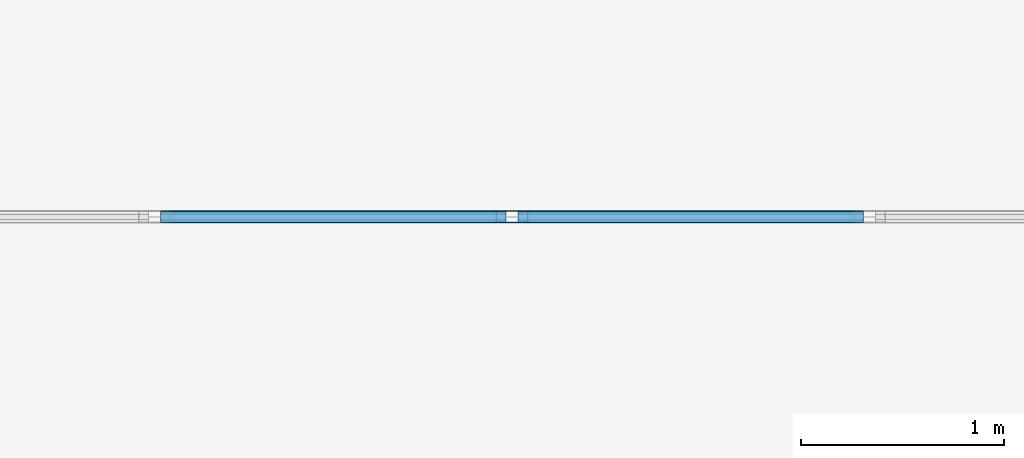
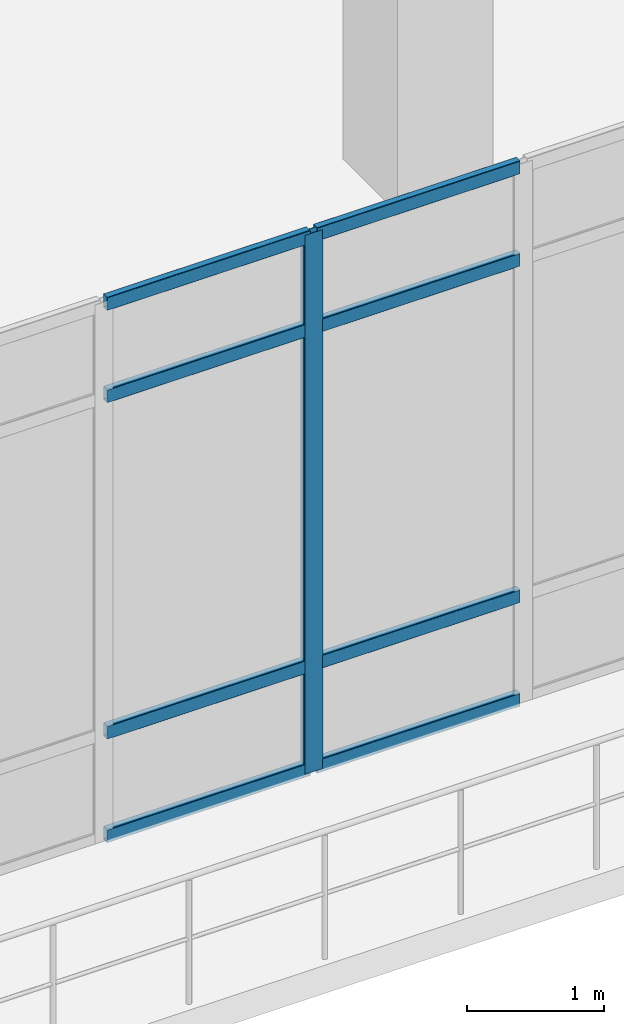
# One storey, part 4 of 124: 9 members, 1 element without a shape of its own.
"""IFC4 building model written with IfcOpenShell, lengths in metres."""

from ifc_helpers import new_model, si_unit, derived_unit, direction, frame, origin, origin_2d, place, context, subcontext, project, spatial, hollow_rectangle, extrude, material, layer, layer_set, material_profile, profile_set, type_object, element, aggregate, save


model = new_model("IFC4")

# Units and contexts
model_context = context("Model", 3, precision=1e-05, world=origin(), true_north=direction((0.0, 1.0)))
body_context = subcontext(model_context, "Body", "Model", "MODEL_VIEW")
ifc_project = project(units=[si_unit("LENGTHUNIT", "METRE"), si_unit("AREAUNIT", "SQUARE_METRE"), si_unit("VOLUMEUNIT", "CUBIC_METRE"), si_unit("PLANEANGLEUNIT", "RADIAN"), si_unit("MASSUNIT", "GRAM", prefix="KILO"), derived_unit("THERMALTRANSMITTANCEUNIT", [(si_unit("MASSUNIT", "GRAM", prefix="KILO"), 1), (si_unit("TIMEUNIT", "SECOND"), -3), (si_unit("THERMODYNAMICTEMPERATUREUNIT", "KELVIN"), -1)])], contexts=[model_context])

# Site, building, storey
site_placement = place(None, origin())
site = spatial("IfcSite", under=ifc_project, at=site_placement, CompositionType="ELEMENT")
building_placement = place(site_placement, origin())
building = spatial("IfcBuilding", under=site, at=building_placement, Name="Qinzheling Arcade Emporium", CompositionType="ELEMENT")
storey_placement = place(building_placement, frame((0.0, 0.0, 16.5)))
storey = spatial("IfcBuildingStorey", under=building, at=storey_placement, Name="L04", CompositionType="ELEMENT", Elevation=16.5)

# Curtain wall, members
ifc_material_1 = material(Name="Anodised aluminium and solar-control double glazing", Category="aluminium")
ifc_layer = layer(ifc_material_1, 0.159912109375, Name="Anodised aluminium and solar-control double glazing", Category="aluminium")
ifc_layer_set = layer_set([ifc_layer], Name="Anodised aluminium and solar-control double glazing")
curtain_wall_type = type_object("IfcCurtainWallType", Name="Arcade Portal Glazed Curtain Wall", PredefinedType="NOTDEFINED", material=ifc_layer_set)
curtain_wall_placement = place(storey_placement, origin())
curtain_wall = element("IfcCurtainWall", 1, at=curtain_wall_placement, inside=storey, type_object=curtain_wall_type, Name="Curtain Wall CW-L04-224", PredefinedType="NOTDEFINED")
ifc_material_2 = material(Name="Anodised aluminium 6063-T6", Category="aluminium")
ifc_material_profile_1 = material_profile(ifc_material_2, hollow_rectangle(XDim=0.06005859375, YDim=0.159912109375, WallThickness=0.00390625, InnerFilletRadius=0.00390625, OuterFilletRadius=0.008056640625, at=origin_2d()), Name="RHS 160x60x4", Category="aluminium")
ifc_profile_set_1 = profile_set([ifc_material_profile_1], Name="Anodised aluminium 6063-T6")
member_type_1 = type_object("IfcMemberType", Name="Curtain Wall Mullion RHS160x60", PredefinedType="MULLION", material=ifc_profile_set_1)
member_1_placement = place(storey_placement, frame((30.3291015625, 2.199951171875, 0.0), z_axis=(0.0, 0.0, 1.0), x_axis=(0.0, -1.0, 0.0)))
member_1 = element("IfcMember", 2, at=member_1_placement, type_object=member_type_1, Name="CW05 mullion 3", PredefinedType="MULLION", context=body_context, shape_type="SweptSolid", body=[
    extrude(hollow_rectangle(XDim=0.06005859375, YDim=0.159912109375, WallThickness=0.00390625, InnerFilletRadius=0.00390625, OuterFilletRadius=0.008056640625, at=origin_2d()), origin(), (0.0, 0.0, 1.0), 4.7900390625),
])
ifc_material_profile_2 = material_profile(ifc_material_2, hollow_rectangle(XDim=0.06005859375, YDim=0.1201171875, WallThickness=0.00390625, InnerFilletRadius=0.00390625, OuterFilletRadius=0.008056640625, at=origin_2d()), Name="RHS 120x60x4", Category="aluminium")
ifc_profile_set_2 = profile_set([ifc_material_profile_2], Name="Anodised aluminium 6063-T6")
member_type_2 = type_object("IfcMemberType", Name="Curtain Wall Transom RHS120x60", PredefinedType="USERDEFINED", material=ifc_profile_set_2)
member_2_placement = place(storey_placement, frame((32.0634765625, 2.199951171875, 0.030029296875), z_axis=(-1.0, 0.0, 0.0), x_axis=(0.0, -1.0, 0.0)))
member_2 = element("IfcMember", 3, at=member_2_placement, type_object=member_type_2, Name="CW05 transom 2.1", ObjectType="TRANSOM", PredefinedType="USERDEFINED", context=body_context, shape_type="SweptSolid", body=[
    extrude(hollow_rectangle(XDim=0.06005859375, YDim=0.1201171875, WallThickness=0.00390625, InnerFilletRadius=0.00390625, OuterFilletRadius=0.008056640625, at=origin_2d()), origin(), (0.0, 0.0, 1.0), 1.70458984375),
])
member_3_placement = place(storey_placement, frame((32.0634765625, 2.199951171875, 0.949951171875), z_axis=(-1.0, 0.0, 0.0), x_axis=(0.0, -1.0, 0.0)))
member_3 = element("IfcMember", 4, at=member_3_placement, type_object=member_type_2, Name="CW05 transom 2.2", ObjectType="TRANSOM", PredefinedType="USERDEFINED", context=body_context, shape_type="SweptSolid", body=[
    extrude(hollow_rectangle(XDim=0.06005859375, YDim=0.1201171875, WallThickness=0.00390625, InnerFilletRadius=0.00390625, OuterFilletRadius=0.008056640625, at=origin_2d()), origin(), (0.0, 0.0, 1.0), 1.70458984375),
])
member_4_placement = place(storey_placement, frame((32.0634765625, 2.199951171875, 3.93994140625), z_axis=(-1.0, 0.0, 0.0), x_axis=(0.0, -1.0, 0.0)))
member_4 = element("IfcMember", 5, at=member_4_placement, type_object=member_type_2, Name="CW05 transom 2.3", ObjectType="TRANSOM", PredefinedType="USERDEFINED", context=body_context, shape_type="SweptSolid", body=[
    extrude(hollow_rectangle(XDim=0.06005859375, YDim=0.1201171875, WallThickness=0.00390625, InnerFilletRadius=0.00390625, OuterFilletRadius=0.008056640625, at=origin_2d()), origin(), (0.0, 0.0, 1.0), 1.70458984375),
])
member_5_placement = place(storey_placement, frame((32.0634765625, 2.199951171875, 4.760009765625), z_axis=(-1.0, 0.0, 0.0), x_axis=(0.0, -1.0, 0.0)))
member_5 = element("IfcMember", 6, at=member_5_placement, type_object=member_type_2, Name="CW05 transom 2.4", ObjectType="TRANSOM", PredefinedType="USERDEFINED", context=body_context, shape_type="SweptSolid", body=[
    extrude(hollow_rectangle(XDim=0.06005859375, YDim=0.1201171875, WallThickness=0.00390625, InnerFilletRadius=0.00390625, OuterFilletRadius=0.008056640625, at=origin_2d()), origin(), (0.0, 0.0, 1.0), 1.70458984375),
])
member_6_placement = place(storey_placement, frame((30.299072265625, 2.199951171875, 0.030029296875), z_axis=(-1.0, 0.0, 0.0), x_axis=(0.0, -1.0, 0.0)))
member_6 = element("IfcMember", 7, at=member_6_placement, type_object=member_type_2, Name="CW05 transom 3.1", ObjectType="TRANSOM", PredefinedType="USERDEFINED", context=body_context, shape_type="SweptSolid", body=[
    extrude(hollow_rectangle(XDim=0.06005859375, YDim=0.1201171875, WallThickness=0.00390625, InnerFilletRadius=0.00390625, OuterFilletRadius=0.008056640625, at=origin_2d()), origin(), (0.0, 0.0, 1.0), 1.70458984375),
])
member_7_placement = place(storey_placement, frame((30.299072265625, 2.199951171875, 0.949951171875), z_axis=(-1.0, 0.0, 0.0), x_axis=(0.0, -1.0, 0.0)))
member_7 = element("IfcMember", 8, at=member_7_placement, type_object=member_type_2, Name="CW05 transom 3.2", ObjectType="TRANSOM", PredefinedType="USERDEFINED", context=body_context, shape_type="SweptSolid", body=[
    extrude(hollow_rectangle(XDim=0.06005859375, YDim=0.1201171875, WallThickness=0.00390625, InnerFilletRadius=0.00390625, OuterFilletRadius=0.008056640625, at=origin_2d()), origin(), (0.0, 0.0, 1.0), 1.70458984375),
])
member_8_placement = place(storey_placement, frame((30.299072265625, 2.199951171875, 3.93994140625), z_axis=(-1.0, 0.0, 0.0), x_axis=(0.0, -1.0, 0.0)))
member_8 = element("IfcMember", 9, at=member_8_placement, type_object=member_type_2, Name="CW05 transom 3.3", ObjectType="TRANSOM", PredefinedType="USERDEFINED", context=body_context, shape_type="SweptSolid", body=[
    extrude(hollow_rectangle(XDim=0.06005859375, YDim=0.1201171875, WallThickness=0.00390625, InnerFilletRadius=0.00390625, OuterFilletRadius=0.008056640625, at=origin_2d()), origin(), (0.0, 0.0, 1.0), 1.70458984375),
])
member_9_placement = place(storey_placement, frame((30.299072265625, 2.199951171875, 4.760009765625), z_axis=(-1.0, 0.0, 0.0), x_axis=(0.0, -1.0, 0.0)))
member_9 = element("IfcMember", 10, at=member_9_placement, type_object=member_type_2, Name="CW05 transom 3.4", ObjectType="TRANSOM", PredefinedType="USERDEFINED", context=body_context, shape_type="SweptSolid", body=[
    extrude(hollow_rectangle(XDim=0.06005859375, YDim=0.1201171875, WallThickness=0.00390625, InnerFilletRadius=0.00390625, OuterFilletRadius=0.008056640625, at=origin_2d()), origin(), (0.0, 0.0, 1.0), 1.70458984375),
])
aggregate(curtain_wall, [member_1, member_2, member_3, member_4, member_5, member_6, member_7, member_8, member_9])

save(model, "model.ifc")
